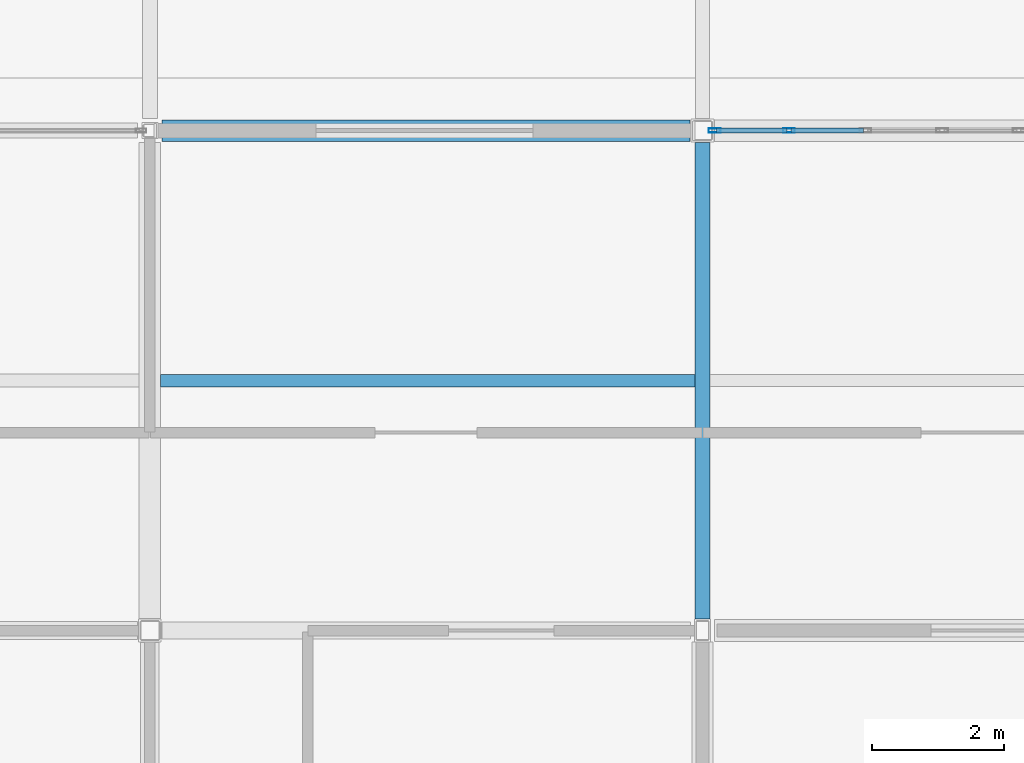
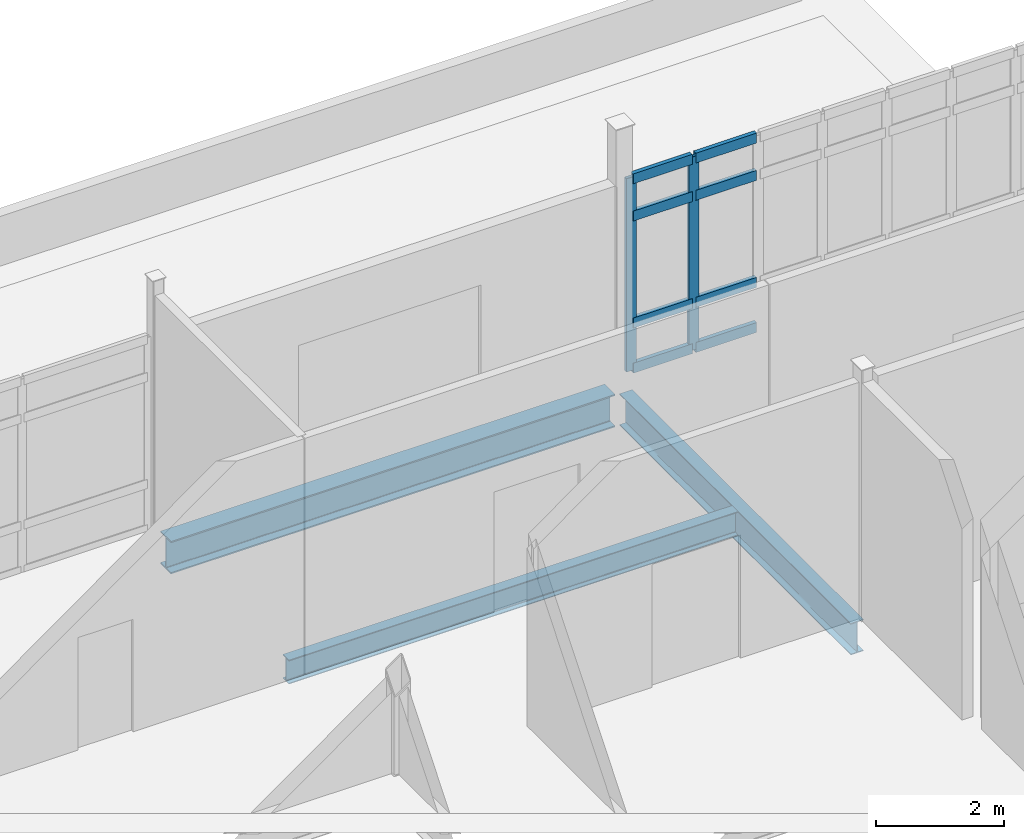
# One storey, part 38 of 186: 10 members, 3 beams, 1 element without a shape of its own.
"""IFC4 building model written with IfcOpenShell, lengths in metres."""

from ifc_helpers import new_model, si_unit, direction, frame, origin, origin_2d, place, context, subcontext, project, spatial, hollow_rectangle, i_section, extrude, material, layer, layer_set, material_profile, profile_set, type_object, element, aggregate, save


model = new_model("IFC4")

# Units and contexts
model_context = context("Model", 3, precision=1e-05, world=origin(), true_north=direction((0.0, 1.0)))
body_context = subcontext(model_context, "Body", "Model", "MODEL_VIEW")
ifc_project = project(units=[si_unit("LENGTHUNIT", "METRE"), si_unit("AREAUNIT", "SQUARE_METRE"), si_unit("VOLUMEUNIT", "CUBIC_METRE"), si_unit("PLANEANGLEUNIT", "RADIAN"), si_unit("MASSUNIT", "GRAM", prefix="KILO")], contexts=[model_context])

# Site, building, storey
site_placement = place(None, origin())
site = spatial("IfcSite", under=ifc_project, at=site_placement, CompositionType="ELEMENT")
building_placement = place(site_placement, origin())
building = spatial("IfcBuilding", under=site, at=building_placement, Name="Calvrana Isthmian Art Gallery", CompositionType="ELEMENT")
storey_placement = place(building_placement, frame((0.0, 0.0, 5.39990234375)))
storey = spatial("IfcBuildingStorey", under=building, at=storey_placement, Name="L01", CompositionType="ELEMENT", Elevation=5.39990234375)

# Beams
ifc_material_1 = material(Name="Steel ASTM A992 Gr 50", Category="steel")
ifc_material_profile_1 = material_profile(ifc_material_1, i_section(OverallWidth=0.327880859375, OverallDepth=0.6220703125, WebThickness=0.015380859375, FlangeThickness=0.0244140625, FilletRadius=0.02197265625, at=origin_2d()), Name="W24X131")
ifc_profile_set_1 = profile_set([ifc_material_profile_1], Name="Steel ASTM A992 Gr 50")
beam_type_1 = type_object("IfcBeamType", Name="BM-G-W24X131", PredefinedType="BEAM", material=ifc_profile_set_1)
beam_1_placement = place(storey_placement, frame((21.78662109375, 62.0, -0.555908203125), z_axis=(1.0, 0.0, 0.0), x_axis=(0.0, 1.0, 0.0)))
element("IfcBeam", 1, at=beam_1_placement, inside=storey, type_object=beam_type_1, Name="Girder X L01 04-05/I", PredefinedType="BEAM", context=body_context, shape_type="SweptSolid", body=[
    extrude(i_section(OverallWidth=0.327880859375, OverallDepth=0.6220703125, WebThickness=0.015380859375, FlangeThickness=0.0244140625, FilletRadius=0.02197265625, at=origin_2d()), origin(), (0.0, 0.0, 1.0), 8.02783203125),
])
ifc_material_profile_2 = material_profile(ifc_material_1, i_section(OverallWidth=0.22802734375, OverallDepth=0.60693359375, WebThickness=0.01123046875, FlangeThickness=0.017333984375, FilletRadius=0.02197265625, at=origin_2d()), Name="W24X76")
ifc_profile_set_2 = profile_set([ifc_material_profile_2], Name="Steel ASTM A992 Gr 50")
beam_type_2 = type_object("IfcBeamType", Name="BM-G-W24X76", PredefinedType="BEAM", material=ifc_profile_set_2)
beam_2_placement = place(storey_placement, frame((30.0, 54.577880859375, -0.54833984375), z_axis=(0.0, 1.0, 0.0), x_axis=(-1.0, 0.0, 0.0)))
element("IfcBeam", 2, at=beam_2_placement, inside=storey, type_object=beam_type_2, Name="Girder Y L01 05/H-I", PredefinedType="BEAM", context=body_context, shape_type="SweptSolid", body=[
    extrude(i_section(OverallWidth=0.22802734375, OverallDepth=0.60693359375, WebThickness=0.01123046875, FlangeThickness=0.017333984375, FilletRadius=0.02197265625, at=origin_2d()), origin(), (0.0, 0.0, 1.0), 7.24072265625),
])
ifc_material_profile_3 = material_profile(ifc_material_1, i_section(OverallWidth=0.19091796875, OverallDepth=0.45703125, WebThickness=0.009033203125, FlangeThickness=0.014404296875, FilletRadius=0.02001953125, at=origin_2d()), Name="W18X50")
ifc_profile_set_3 = profile_set([ifc_material_profile_3], Name="Steel ASTM A992 Gr 50")
beam_type_3 = type_object("IfcBeamType", Name="BM-J-W18X50", PredefinedType="JOIST", material=ifc_profile_set_3)
beam_3_placement = place(storey_placement, frame((21.762451171875, 58.199951171875, -0.473388671875), z_axis=(1.0, 0.0, 0.0), x_axis=(0.0, 1.0, 0.0)))
element("IfcBeam", 3, at=beam_3_placement, inside=storey, type_object=beam_type_3, Name="Composite joist L01 bay 03-07", PredefinedType="JOIST", context=body_context, shape_type="SweptSolid", body=[
    extrude(i_section(OverallWidth=0.19091796875, OverallDepth=0.45703125, WebThickness=0.009033203125, FlangeThickness=0.014404296875, FilletRadius=0.02001953125, at=origin_2d()), origin(), (0.0, 0.0, 1.0), 8.12353515625),
])

# Curtain wall, members
ifc_material_2 = material(Name="Anodized bronze aluminium 6063-T6", Category="aluminium")
ifc_layer = layer(ifc_material_2, 0.179931640625, Name="Anodized bronze aluminium 6063-T6")
ifc_layer_set = layer_set([ifc_layer], Name="Anodized bronze aluminium 6063-T6")
curtain_wall_type = type_object("IfcCurtainWallType", Name="CW-UNIT-081X37", PredefinedType="USERDEFINED", material=ifc_layer_set)
curtain_wall_placement = place(storey_placement, origin())
curtain_wall = element("IfcCurtainWall", 4, at=curtain_wall_placement, inside=storey, type_object=curtain_wall_type, Name="Curtain wall CW-104", ObjectType="UNITISED CURTAIN WALL", PredefinedType="USERDEFINED")
ifc_material_profile_4 = material_profile(ifc_material_2, hollow_rectangle(XDim=0.06494140625, YDim=0.179931640625, WallThickness=0.00439453125, at=origin_2d()), Name="CWM65X180")
ifc_profile_set_4 = profile_set([ifc_material_profile_4], Name="Anodized bronze aluminium 6063-T6")
member_type_1 = type_object("IfcMemberType", Name="CWM-CWM65X180", PredefinedType="MULLION", material=ifc_profile_set_4)
member_1_placement = place(storey_placement, frame((30.184814453125, 62.0, 0.0), z_axis=(0.0, 0.0, 1.0), x_axis=(0.0, 1.0, 0.0)))
member_1 = element("IfcMember", 5, at=member_1_placement, type_object=member_type_1, Name="CW-104 mullion 1", PredefinedType="MULLION", context=body_context, shape_type="SweptSolid", body=[
    extrude(hollow_rectangle(XDim=0.06494140625, YDim=0.179931640625, WallThickness=0.00439453125, at=origin_2d()), origin(), (0.0, 0.0, 1.0), 3.695068359375),
])
member_2_placement = place(storey_placement, frame((31.316162109375, 62.0, 0.0), z_axis=(0.0, 0.0, 1.0), x_axis=(0.0, 1.0, 0.0)))
member_2 = element("IfcMember", 6, at=member_2_placement, type_object=member_type_1, Name="CW-104 mullion 2", PredefinedType="MULLION", context=body_context, shape_type="SweptSolid", body=[
    extrude(hollow_rectangle(XDim=0.06494140625, YDim=0.179931640625, WallThickness=0.00439453125, at=origin_2d()), origin(), (0.0, 0.0, 1.0), 3.695068359375),
])
ifc_material_profile_5 = material_profile(ifc_material_2, hollow_rectangle(XDim=0.074951171875, YDim=0.18994140625, WallThickness=0.00439453125, at=origin_2d()), Name="CWT75X190")
ifc_profile_set_5 = profile_set([ifc_material_profile_5], Name="Anodized bronze aluminium 6063-T6")
member_type_2 = type_object("IfcMemberType", Name="CWT-CWT75X190", PredefinedType="USERDEFINED", material=ifc_profile_set_5)
member_3_placement = place(storey_placement, frame((30.21728515625, 62.0, 0.03759765625), z_axis=(1.0, 0.0, 0.0), x_axis=(0.0, 1.0, 0.0)))
member_3 = element("IfcMember", 7, at=member_3_placement, type_object=member_type_2, Name="CW-104 transom 1.1", ObjectType="TRANSOM", PredefinedType="USERDEFINED", context=body_context, shape_type="SweptSolid", body=[
    extrude(hollow_rectangle(XDim=0.074951171875, YDim=0.18994140625, WallThickness=0.00439453125, at=origin_2d()), origin(), (0.0, 0.0, 1.0), 1.06640625),
])
member_4_placement = place(storey_placement, frame((30.21728515625, 62.0, 0.900146484375), z_axis=(1.0, 0.0, 0.0), x_axis=(0.0, 1.0, 0.0)))
member_4 = element("IfcMember", 8, at=member_4_placement, type_object=member_type_2, Name="CW-104 transom 1.2", ObjectType="TRANSOM", PredefinedType="USERDEFINED", context=body_context, shape_type="SweptSolid", body=[
    extrude(hollow_rectangle(XDim=0.074951171875, YDim=0.18994140625, WallThickness=0.00439453125, at=origin_2d()), origin(), (0.0, 0.0, 1.0), 1.06640625),
])
member_5_placement = place(storey_placement, frame((30.21728515625, 62.0, 2.945068359375), z_axis=(1.0, 0.0, 0.0), x_axis=(0.0, 1.0, 0.0)))
member_5 = element("IfcMember", 9, at=member_5_placement, type_object=member_type_2, Name="CW-104 transom 1.3", ObjectType="TRANSOM", PredefinedType="USERDEFINED", context=body_context, shape_type="SweptSolid", body=[
    extrude(hollow_rectangle(XDim=0.074951171875, YDim=0.18994140625, WallThickness=0.00439453125, at=origin_2d()), origin(), (0.0, 0.0, 1.0), 1.06640625),
])
member_6_placement = place(storey_placement, frame((30.21728515625, 62.0, 3.65771484375), z_axis=(1.0, 0.0, 0.0), x_axis=(0.0, 1.0, 0.0)))
member_6 = element("IfcMember", 10, at=member_6_placement, type_object=member_type_2, Name="CW-104 transom 1.4", ObjectType="TRANSOM", PredefinedType="USERDEFINED", context=body_context, shape_type="SweptSolid", body=[
    extrude(hollow_rectangle(XDim=0.074951171875, YDim=0.18994140625, WallThickness=0.00439453125, at=origin_2d()), origin(), (0.0, 0.0, 1.0), 1.06640625),
])
member_7_placement = place(storey_placement, frame((31.3486328125, 62.0, 0.03759765625), z_axis=(1.0, 0.0, 0.0), x_axis=(0.0, 1.0, 0.0)))
member_7 = element("IfcMember", 11, at=member_7_placement, type_object=member_type_2, Name="CW-104 transom 2.1", ObjectType="TRANSOM", PredefinedType="USERDEFINED", context=body_context, shape_type="SweptSolid", body=[
    extrude(hollow_rectangle(XDim=0.074951171875, YDim=0.18994140625, WallThickness=0.00439453125, at=origin_2d()), origin(), (0.0, 0.0, 1.0), 1.0986328125),
])
member_8_placement = place(storey_placement, frame((31.3486328125, 62.0, 0.900146484375), z_axis=(1.0, 0.0, 0.0), x_axis=(0.0, 1.0, 0.0)))
member_8 = element("IfcMember", 12, at=member_8_placement, type_object=member_type_2, Name="CW-104 transom 2.2", ObjectType="TRANSOM", PredefinedType="USERDEFINED", context=body_context, shape_type="SweptSolid", body=[
    extrude(hollow_rectangle(XDim=0.074951171875, YDim=0.18994140625, WallThickness=0.00439453125, at=origin_2d()), origin(), (0.0, 0.0, 1.0), 1.0986328125),
])
member_9_placement = place(storey_placement, frame((31.3486328125, 62.0, 2.945068359375), z_axis=(1.0, 0.0, 0.0), x_axis=(0.0, 1.0, 0.0)))
member_9 = element("IfcMember", 13, at=member_9_placement, type_object=member_type_2, Name="CW-104 transom 2.3", ObjectType="TRANSOM", PredefinedType="USERDEFINED", context=body_context, shape_type="SweptSolid", body=[
    extrude(hollow_rectangle(XDim=0.074951171875, YDim=0.18994140625, WallThickness=0.00439453125, at=origin_2d()), origin(), (0.0, 0.0, 1.0), 1.0986328125),
])
member_10_placement = place(storey_placement, frame((31.3486328125, 62.0, 3.65771484375), z_axis=(1.0, 0.0, 0.0), x_axis=(0.0, 1.0, 0.0)))
member_10 = element("IfcMember", 14, at=member_10_placement, type_object=member_type_2, Name="CW-104 transom 2.4", ObjectType="TRANSOM", PredefinedType="USERDEFINED", context=body_context, shape_type="SweptSolid", body=[
    extrude(hollow_rectangle(XDim=0.074951171875, YDim=0.18994140625, WallThickness=0.00439453125, at=origin_2d()), origin(), (0.0, 0.0, 1.0), 1.0986328125),
])
aggregate(curtain_wall, [member_1, member_2, member_3, member_4, member_5, member_6, member_7, member_8, member_9, member_10])

save(model, "model.ifc")
